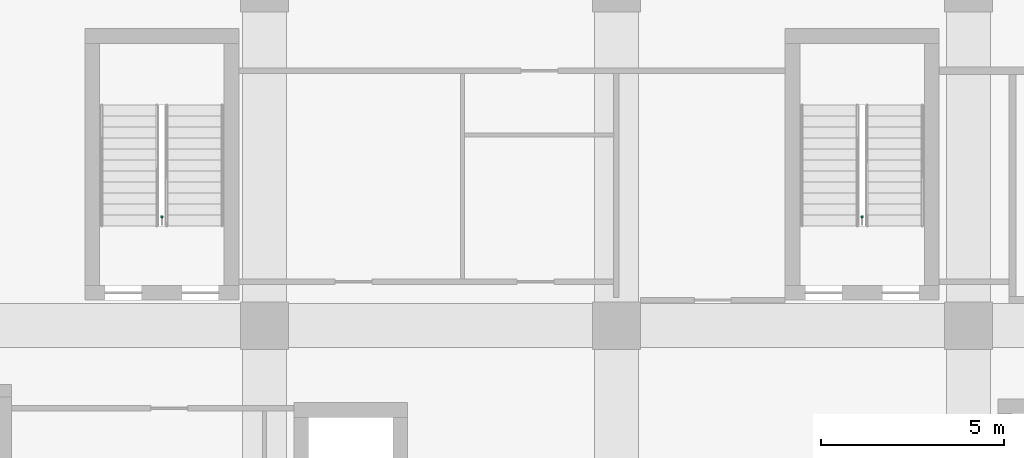
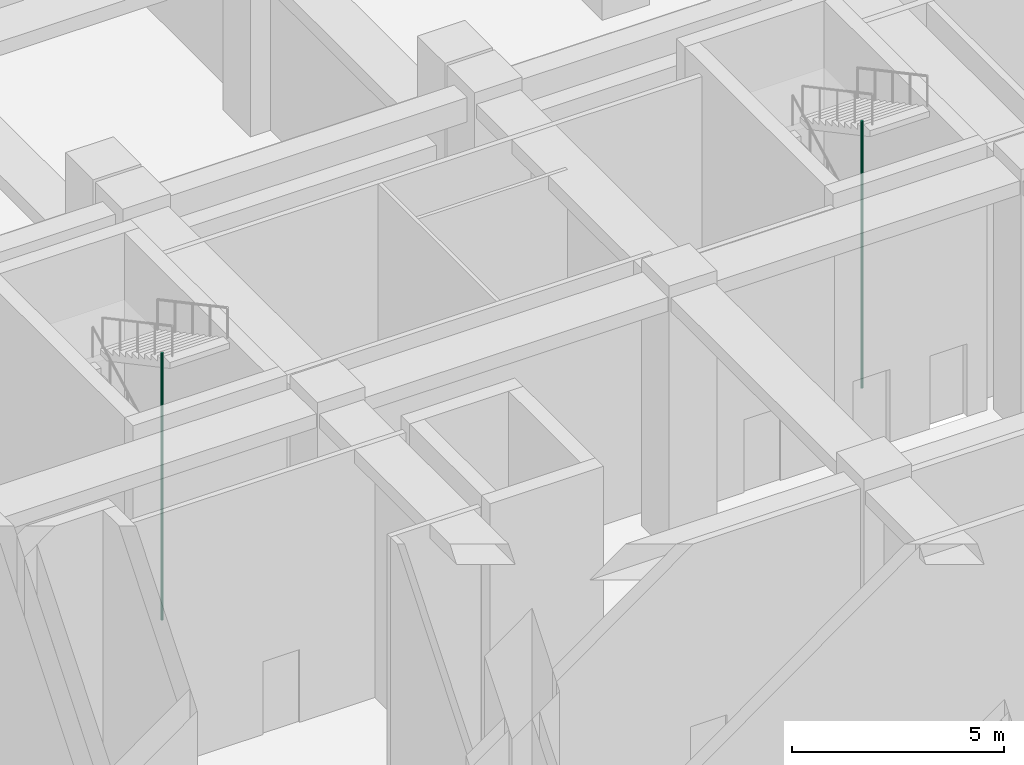
# One storey, part 23 of 33: 2 pipe segments.
"""IFC4 building model written with IfcOpenShell, lengths in metres."""

from ifc_helpers import new_model, si_unit, direction, frame, origin, origin_2d, place, context, subcontext, project, spatial, circle, extrude, element, save


model = new_model("IFC4")

# Units and contexts
model_context = context("Model", 3, precision=1e-05, world=origin(), true_north=direction((0.0, 1.0)))
body_context = subcontext(model_context, "Body", "Model", "MODEL_VIEW")
ifc_project = project(units=[si_unit("LENGTHUNIT", "METRE"), si_unit("AREAUNIT", "SQUARE_METRE"), si_unit("VOLUMEUNIT", "CUBIC_METRE"), si_unit("PLANEANGLEUNIT", "RADIAN"), si_unit("MASSUNIT", "GRAM", prefix="KILO")], contexts=[model_context])

# Site, building, storey
site_placement = place(None, origin())
site = spatial("IfcSite", under=ifc_project, at=site_placement, CompositionType="ELEMENT")
building_placement = place(site_placement, origin())
building = spatial("IfcBuilding", under=site, at=building_placement, Name="Nzadi Deep Aquarium and Research Tower", CompositionType="ELEMENT")
storey_placement = place(building_placement, frame((0.0, 0.0, 6.5)))
storey = spatial("IfcBuildingStorey", under=building, at=storey_placement, Name="L01", CompositionType="ELEMENT", Elevation=6.5)

# Pipe segments
for number, where, z_axis, x_axis, name in (
    (1, (6.800048828125, 39.77001953125, 0.0), (0.0, 0.0, 1.0), (1.0, 0.0, 0.0), "Dry riser ST-Z1-NW L01"),
    (2, (25.89990234375, 39.77001953125, 0.0), (0.0, 0.0, 1.0), (1.0, 0.0, 0.0), "Dry riser ST-Z1-NE L01"),
):
    element("IfcPipeSegment", number, at=place(storey_placement, frame(where, z_axis=z_axis, x_axis=x_axis)), inside=storey, Name=name, PredefinedType="RIGIDSEGMENT", context=body_context, shape_type="SweptSolid", body=[
        extrude(circle(Radius=0.034912109375, at=origin_2d()), origin(), (0.0, 0.0, 1.0), 7.699951171875),
    ])

save(model, "model.ifc")
